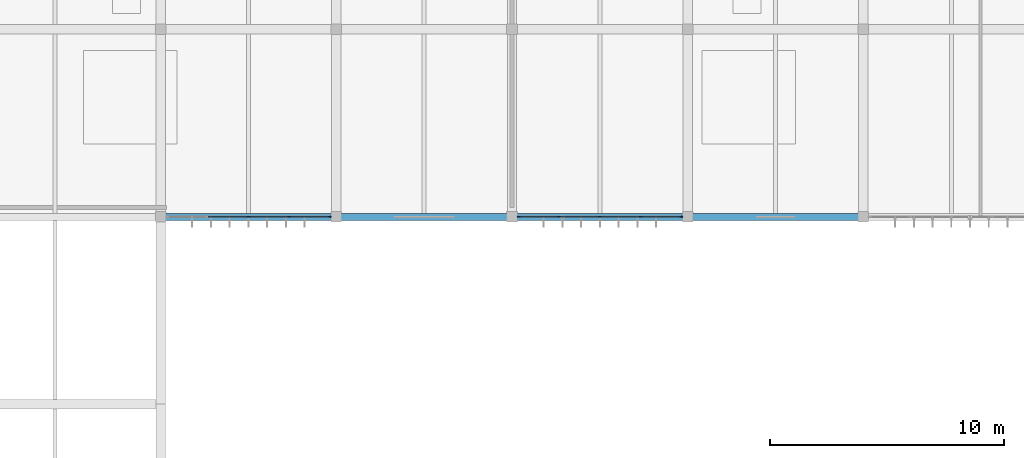
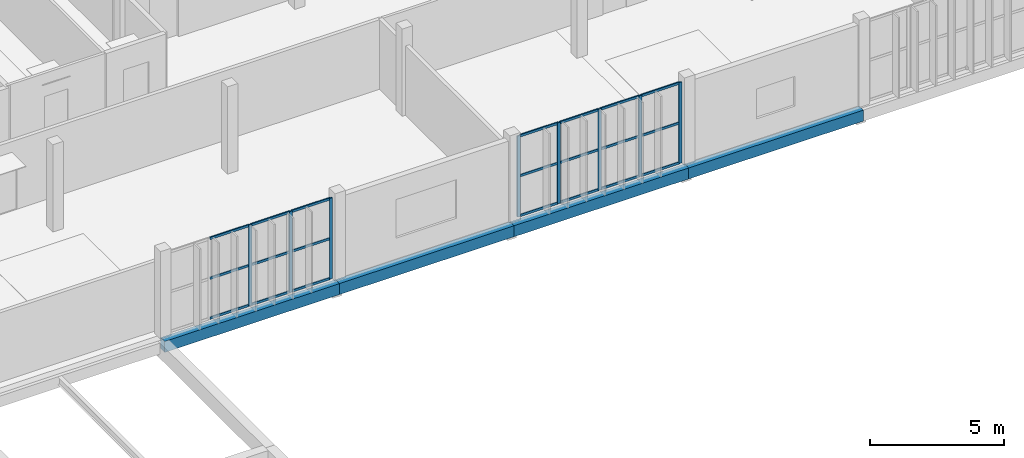
# One storey, part 7 of 26: 29 members, 4 beams, 2 elements without a shape of their own.
"""IFC4 building model written with IfcOpenShell, lengths in metres."""

import ifcopenshell
import ifcopenshell.guid

model = None  # the IFC model being written
_history = None  # IfcOwnerHistory: only IFC2X3 demands one
_inside = {}  # id of a spatial element -> (the spatial element, [elements in it])
_under = {}  # id of a project, library or spatial element -> (it, [spatial elements below it])
_declared = {}  # id of a project -> (the project, [libraries it declares])
_typed = {}  # id of a type object -> (the type object, [elements of that type])
_made_of = {}  # id of a material, layer set ... -> (it, [elements and type objects made of it])


def new_model(schema):
    """Start an empty IFC model of exactly this schema.

    Asked for "IFC4X3", IfcOpenShell would pick the latest addendum, in which some entities
    have other attributes; the version numbers below select the first issue.
    IFC2X3 requires an IfcOwnerHistory on every rooted entity: one is made here for all.
    """
    global model, _history
    if schema == "IFC4X3":
        model = ifcopenshell.file(schema_version=(4, 3, 0, 0))
    else:
        model = ifcopenshell.file(schema=schema)
    _inside.clear()
    _under.clear()
    _declared.clear()
    _typed.clear()
    _made_of.clear()
    _history = None
    if model.schema == "IFC2X3":
        org = make("IfcOrganization", Name="unknown")
        user = make(
            "IfcPersonAndOrganization",
            ThePerson=make("IfcPerson", FamilyName="unknown"),
            TheOrganization=org,
        )
        app = make(
            "IfcApplication",
            ApplicationDeveloper=org,
            Version="unknown",
            ApplicationFullName="unknown",
            ApplicationIdentifier="unknown",
        )
        _history = make(
            "IfcOwnerHistory",
            OwningUser=user,
            OwningApplication=app,
            ChangeAction="ADDED",
            CreationDate=0,
        )
    return model


def make(cls, **values):
    """One entity of the class cls with the attributes given. An attribute that is None is left unset."""
    return model.create_entity(
        cls, **{name: value for name, value in values.items() if value is not None}
    )


def rooted(cls, **values):
    """An entity with a GlobalId (a new one), such as an element, a storey or a relation."""
    return make(cls, GlobalId=ifcopenshell.guid.new(), OwnerHistory=_history, **values)


def si_unit(unit_type, name, prefix=None):
    """IfcSIUnit, for example si_unit("LENGTHUNIT", "METRE", prefix="MILLI")."""
    return make("IfcSIUnit", UnitType=unit_type, Prefix=prefix, Name=name)


def assignment(units):
    """IfcUnitAssignment: the units of a project."""
    return None if units is None else make("IfcUnitAssignment", Units=units)


def point(xyz):
    """IfcCartesianPoint."""
    return None if xyz is None else make("IfcCartesianPoint", Coordinates=xyz)


def direction(xyz):
    """IfcDirection."""
    return None if xyz is None else make("IfcDirection", DirectionRatios=xyz)


def frame(location, z_axis=None, x_axis=None):
    """IfcAxis2Placement3D, a coordinate frame: its origin and axes. An axis left out is left unset."""
    return make(
        "IfcAxis2Placement3D",
        Location=point(location),
        Axis=direction(z_axis),
        RefDirection=direction(x_axis),
    )


def frame_2d(location, x_axis=None):
    """IfcAxis2Placement2D, a coordinate frame in the plane: its origin and x axis."""
    return make(
        "IfcAxis2Placement2D", Location=point(location), RefDirection=direction(x_axis)
    )


def origin():
    """The frame at (0, 0, 0) with its axes left unset."""
    return frame((0.0, 0.0, 0.0))


def origin_2d():
    """The frame at (0, 0) in the plane with its x axis left unset."""
    return frame_2d((0.0, 0.0))


def place(relative_to, where):
    """IfcLocalPlacement: puts the frame where relative to a parent placement (None: the world)."""
    return make(
        "IfcLocalPlacement", PlacementRelTo=relative_to, RelativePlacement=where
    )


def context(
    kind, dimensions, precision=None, world=None, true_north=None, identifier=None
):
    """IfcGeometricRepresentationContext, for example the 3D "Model" context."""
    return make(
        "IfcGeometricRepresentationContext",
        ContextIdentifier=identifier,
        ContextType=kind,
        CoordinateSpaceDimension=dimensions,
        Precision=precision,
        WorldCoordinateSystem=world,
        TrueNorth=true_north,
    )


def subcontext(parent, identifier, kind, view, scale=None):
    """IfcGeometricRepresentationSubContext, for example "Body" below "Model"."""
    return make(
        "IfcGeometricRepresentationSubContext",
        ContextIdentifier=identifier,
        ContextType=kind,
        ParentContext=parent,
        TargetScale=scale,
        TargetView=view,
    )


def project(units=None, contexts=None):
    """IfcProject with its units and contexts."""
    return rooted(
        "IfcProject",
        Name="project",
        RepresentationContexts=contexts,
        UnitsInContext=assignment(units),
    )


def spatial(cls, under=None, at=None, **own):
    """A site, building, storey or space (cls), placed at a placement, below another one or the project."""
    s = rooted(cls, ObjectPlacement=at, **own)
    if under is not None:
        _under.setdefault(under.id(), (under, []))[1].append(s)
    return s


def profile(cls, at=None, kind="AREA", **sizes):
    """A parametric profile (cls). Its sizes go by their IFC names, for example OverallWidth=200.0."""
    return make(cls, ProfileType=kind, Position=at, **sizes)


def rectangle(**sizes):
    """IfcRectangleProfileDef."""
    return profile("IfcRectangleProfileDef", **sizes)


def extrude(swept, where, along, depth):
    """IfcExtrudedAreaSolid: the profile swept, set in the frame where, extruded along a direction by depth."""
    return make(
        "IfcExtrudedAreaSolid",
        SweptArea=swept,
        Position=where,
        ExtrudedDirection=direction(along),
        Depth=depth,
    )


def shape(context_of_items, identifier, shape_type, items):
    """IfcShapeRepresentation: the items that make up one representation, for example the "Body"."""
    return make(
        "IfcShapeRepresentation",
        ContextOfItems=context_of_items,
        RepresentationIdentifier=identifier,
        RepresentationType=shape_type,
        Items=items,
    )


def material(Name=None, Category=None):
    """IfcMaterial."""
    return make("IfcMaterial", Name=Name, Category=Category)


def material_profile(
    of_material, cross_section, Name=None, Category=None, Priority=None
):
    """IfcMaterialProfile: a cross section and its material."""
    return make(
        "IfcMaterialProfile",
        Name=Name,
        Material=of_material,
        Profile=cross_section,
        Priority=Priority,
        Category=Category,
    )


def profile_set(profiles, Name=None, composite=None):
    """IfcMaterialProfileSet."""
    return make(
        "IfcMaterialProfileSet",
        Name=Name,
        MaterialProfiles=profiles,
        CompositeProfile=composite,
    )


def made_of(thing, what):
    """Note that an element or type object is made of a material, layer set ...; save() writes the relation."""
    if what is not None:
        _made_of.setdefault(what.id(), (what, []))[1].append(thing)
    return thing


def type_object(cls, material=None, **own):
    """A type object (cls), such as IfcWallType, which elements share."""
    return made_of(rooted(cls, **own), material)


def element(
    cls,
    number,
    at=None,
    inside=None,
    cuts=None,
    type_object=None,
    material=None,
    context=None,
    identifier="Body",
    shape_type=None,
    held_by="IfcProductDefinitionShape",
    body=None,
    shapes=None,
    **own,
):
    """One element of the class cls, such as IfcWall. Its Tag is "e" and its number.

    at: its placement. inside: the storey or other place that contains it. cuts: it is an
    opening in that element (IfcRelVoidsElement). A single representation is given by context,
    identifier, shape_type and body (its items); several are given by shapes. held_by: the class
    of the entity that holds the representations. save() writes the other relations.
    """
    e = rooted(cls, Tag="e%d" % number, ObjectPlacement=at, **own)
    if body is not None:
        shapes = [shape(context, identifier, shape_type, body)]
    if shapes is not None:
        e.Representation = make(held_by, Representations=shapes)
    if inside is not None:
        _inside.setdefault(inside.id(), (inside, []))[1].append(e)
    if cuts is not None:
        rooted(
            "IfcRelVoidsElement", RelatingBuildingElement=cuts, RelatedOpeningElement=e
        )
    if type_object is not None:
        _typed.setdefault(type_object.id(), (type_object, []))[1].append(e)
    return made_of(e, material)


def aggregate(whole, parts):
    """IfcRelAggregates: a whole, such as a stair, and the parts it consists of."""
    return rooted("IfcRelAggregates", RelatingObject=whole, RelatedObjects=parts)


def save(model, path):
    """Write the relations noted so far, then the file.

    IfcRelAggregates (storeys below a building ...), IfcRelContainedInSpatialStructure (elements
    in a storey), IfcRelDefinesByType, IfcRelAssociatesMaterial and IfcRelDeclares: one each for
    every whole, place, type object, material and project.
    """
    for whole, parts in _under.values():
        aggregate(whole, parts)
    for where, things in _inside.values():
        rooted(
            "IfcRelContainedInSpatialStructure",
            RelatedElements=things,
            RelatingStructure=where,
        )
    for kind, things in _typed.values():
        rooted("IfcRelDefinesByType", RelatedObjects=things, RelatingType=kind)
    for what, things in _made_of.values():
        rooted("IfcRelAssociatesMaterial", RelatedObjects=things, RelatingMaterial=what)
    for by, libraries in _declared.values():
        rooted("IfcRelDeclares", RelatingContext=by, RelatedDefinitions=libraries)
    model.write(path)


model = new_model("IFC4")

# Units and contexts
model_context = context("Model", 3, precision=1e-05, world=origin(), true_north=direction((0.0, 1.0)))
body_context = subcontext(model_context, "Body", "Model", "MODEL_VIEW")
ifc_project = project(units=[si_unit("LENGTHUNIT", "METRE"), si_unit("AREAUNIT", "SQUARE_METRE"), si_unit("VOLUMEUNIT", "CUBIC_METRE"), si_unit("PLANEANGLEUNIT", "RADIAN"), si_unit("MASSUNIT", "GRAM", prefix="KILO")], contexts=[model_context])

# Site, building, storey
site_placement = place(None, origin())
site = spatial("IfcSite", under=ifc_project, at=site_placement, CompositionType="ELEMENT")
building_placement = place(site_placement, origin())
building = spatial("IfcBuilding", under=site, at=building_placement, Name="Vourika Railside Aquatics Centre", CompositionType="ELEMENT")
storey_placement = place(building_placement, frame((0.0, 0.0, 17.699951171875)))
storey = spatial("IfcBuildingStorey", under=building, at=storey_placement, Name="L04", CompositionType="ELEMENT", Elevation=17.699951171875)

# Beams
ifc_material_1 = material(Name="Concrete C35/45", Category="concrete")
ifc_material_profile_1 = material_profile(ifc_material_1, rectangle(XDim=0.300048828125, YDim=0.5, at=origin_2d()), Name="RC 300x500")
ifc_profile_set_1 = profile_set([ifc_material_profile_1], Name="Concrete C35/45")
beam_type = type_object("IfcBeamType", Name="BM-SPAN-300x500", PredefinedType="SPANDREL", material=ifc_profile_set_1)
for number, where, z_axis, x_axis, name in (
    (1, (36.0, 92.0, -0.489990234375), (1.0, 0.0, 0.0), (0.0, 1.0, 0.0), "Floor Beam GX-L04-008"),
    (2, (43.5, 92.0, -0.489990234375), (1.0, 0.0, 0.0), (0.0, 1.0, 0.0), "Floor Beam GX-L04-009"),
    (3, (51.0, 92.0, -0.489990234375), (1.0, 0.0, 0.0), (0.0, 1.0, 0.0), "Floor Beam GX-L04-010"),
    (4, (58.5, 92.0, -0.489990234375), (1.0, 0.0, 0.0), (0.0, 1.0, 0.0), "Floor Beam GX-L04-011"),
):
    element("IfcBeam", number, at=place(storey_placement, frame(where, z_axis=z_axis, x_axis=x_axis)), inside=storey, type_object=beam_type, Name=name, PredefinedType="SPANDREL", context=body_context, shape_type="SweptSolid", body=[
        extrude(rectangle(XDim=0.300048828125, YDim=0.5, at=origin_2d()), origin(), (0.0, 0.0, 1.0), 7.5),
    ])

# Curtain wall, members
ifc_material_2 = material(Name="Anodized thermally broken aluminium", Category="aluminium")
curtain_wall_type = type_object("IfcCurtainWallType", Name="CW-FIT4", PredefinedType="NOTDEFINED", material=ifc_material_2)
curtain_wall_1_placement = place(storey_placement, origin())
curtain_wall_1 = element("IfcCurtainWall", 5, at=curtain_wall_1_placement, inside=storey, type_object=curtain_wall_type, Name="Courtyard Fitness Curtain Wall L04-1", PredefinedType="NOTDEFINED")
ifc_material_3 = material(Name="Anodized aluminium mullion", Category="aluminium")
ifc_material_profile_2 = material_profile(ifc_material_3, rectangle(XDim=0.054931640625, YDim=0.135009765625, at=origin_2d()), Name="ALU-M 55x135")
ifc_profile_set_2 = profile_set([ifc_material_profile_2], Name="Anodized aluminium mullion")
member_type_1 = type_object("IfcMemberType", Name="CWM-FIT4", PredefinedType="MULLION", material=ifc_profile_set_2)
member_1_placement = place(storey_placement, frame((39.75, 92.0, 0.0), z_axis=(0.0, 0.0, 1.0), x_axis=(0.0, 1.0, 0.0)))
member_1 = element("IfcMember", 6, at=member_1_placement, type_object=member_type_1, Name="CW18 mullion 3", PredefinedType="MULLION", context=body_context, shape_type="SweptSolid", body=[
    extrude(rectangle(XDim=0.054931640625, YDim=0.135009765625, at=origin_2d()), origin(), (0.0, 0.0, 1.0), 3.670166015625),
])
member_2_placement = place(storey_placement, frame((41.49755859375, 92.0, 0.0), z_axis=(0.0, 0.0, 1.0), x_axis=(0.0, 1.0, 0.0)))
member_2 = element("IfcMember", 7, at=member_2_placement, type_object=member_type_1, Name="CW18 mullion 4", PredefinedType="MULLION", context=body_context, shape_type="SweptSolid", body=[
    extrude(rectangle(XDim=0.054931640625, YDim=0.135009765625, at=origin_2d()), origin(), (0.0, 0.0, 1.0), 3.670166015625),
])
member_3_placement = place(storey_placement, frame((43.217529296875, 92.0, 0.0), z_axis=(0.0, 0.0, 1.0), x_axis=(0.0, 1.0, 0.0)))
member_3 = element("IfcMember", 8, at=member_3_placement, type_object=member_type_1, Name="CW18 mullion 5", PredefinedType="MULLION", context=body_context, shape_type="SweptSolid", body=[
    extrude(rectangle(XDim=0.054931640625, YDim=0.135009765625, at=origin_2d()), origin(), (0.0, 0.0, 1.0), 3.670166015625),
])

curtain_wall_2_placement = place(storey_placement, origin())
curtain_wall_2 = element("IfcCurtainWall", 9, at=curtain_wall_2_placement, inside=storey, type_object=curtain_wall_type, Name="Courtyard Fitness Curtain Wall L04-3", PredefinedType="NOTDEFINED")
member_4_placement = place(storey_placement, frame((51.282470703125, 92.0, 0.0), z_axis=(0.0, 0.0, 1.0), x_axis=(0.0, 1.0, 0.0)))
member_4 = element("IfcMember", 10, at=member_4_placement, type_object=member_type_1, Name="CW18 mullion 1", PredefinedType="MULLION", context=body_context, shape_type="SweptSolid", body=[
    extrude(rectangle(XDim=0.054931640625, YDim=0.135009765625, at=origin_2d()), origin(), (0.0, 0.0, 1.0), 3.670166015625),
])
member_5_placement = place(storey_placement, frame((53.00244140625, 92.0, 0.0), z_axis=(0.0, 0.0, 1.0), x_axis=(0.0, 1.0, 0.0)))
member_5 = element("IfcMember", 11, at=member_5_placement, type_object=member_type_1, Name="CW18 mullion 2", PredefinedType="MULLION", context=body_context, shape_type="SweptSolid", body=[
    extrude(rectangle(XDim=0.054931640625, YDim=0.135009765625, at=origin_2d()), origin(), (0.0, 0.0, 1.0), 3.670166015625),
])
member_6_placement = place(storey_placement, frame((54.75, 92.0, 0.0), z_axis=(0.0, 0.0, 1.0), x_axis=(0.0, 1.0, 0.0)))
member_6 = element("IfcMember", 12, at=member_6_placement, type_object=member_type_1, Name="CW18 mullion 3", PredefinedType="MULLION", context=body_context, shape_type="SweptSolid", body=[
    extrude(rectangle(XDim=0.054931640625, YDim=0.135009765625, at=origin_2d()), origin(), (0.0, 0.0, 1.0), 3.670166015625),
])
member_7_placement = place(storey_placement, frame((56.49755859375, 92.0, 0.0), z_axis=(0.0, 0.0, 1.0), x_axis=(0.0, 1.0, 0.0)))
member_7 = element("IfcMember", 13, at=member_7_placement, type_object=member_type_1, Name="CW18 mullion 4", PredefinedType="MULLION", context=body_context, shape_type="SweptSolid", body=[
    extrude(rectangle(XDim=0.054931640625, YDim=0.135009765625, at=origin_2d()), origin(), (0.0, 0.0, 1.0), 3.670166015625),
])
member_8_placement = place(storey_placement, frame((58.217529296875, 92.0, 0.0), z_axis=(0.0, 0.0, 1.0), x_axis=(0.0, 1.0, 0.0)))
member_8 = element("IfcMember", 14, at=member_8_placement, type_object=member_type_1, Name="CW18 mullion 5", PredefinedType="MULLION", context=body_context, shape_type="SweptSolid", body=[
    extrude(rectangle(XDim=0.054931640625, YDim=0.135009765625, at=origin_2d()), origin(), (0.0, 0.0, 1.0), 3.670166015625),
])

# Member
ifc_material_4 = material(Name="Anodized aluminium transom", Category="aluminium")
ifc_material_profile_3 = material_profile(ifc_material_4, rectangle(XDim=0.054931640625, YDim=0.10595703125, at=origin_2d()), Name="ALU-T 55x106")
ifc_profile_set_3 = profile_set([ifc_material_profile_3], Name="Anodized aluminium transom")
member_type_2 = type_object("IfcMemberType", Name="CWT-FIT4", PredefinedType="USERDEFINED", material=ifc_profile_set_3)
member_9_placement = place(storey_placement, frame((38.030029296875, 92.0, 0.027587890625), z_axis=(1.0, 0.0, 0.0), x_axis=(0.0, 1.0, 0.0)))
member_9 = element("IfcMember", 15, at=member_9_placement, type_object=member_type_2, Name="CW18 transom 2.1", ObjectType="TRANSOM", PredefinedType="USERDEFINED", context=body_context, shape_type="SweptSolid", body=[
    extrude(rectangle(XDim=0.054931640625, YDim=0.10595703125, at=origin_2d()), origin(), (0.0, 0.0, 1.0), 1.6923828125),
])

member_10_placement = place(storey_placement, frame((38.030029296875, 92.0, 1.8349609375), z_axis=(1.0, 0.0, 0.0), x_axis=(0.0, 1.0, 0.0)))
member_10 = element("IfcMember", 16, at=member_10_placement, type_object=member_type_2, Name="CW18 transom 2.2", ObjectType="TRANSOM", PredefinedType="USERDEFINED", context=body_context, shape_type="SweptSolid", body=[
    extrude(rectangle(XDim=0.054931640625, YDim=0.10595703125, at=origin_2d()), origin(), (0.0, 0.0, 1.0), 1.6923828125),
])

member_11_placement = place(storey_placement, frame((38.030029296875, 92.0, 3.642578125), z_axis=(1.0, 0.0, 0.0), x_axis=(0.0, 1.0, 0.0)))
member_11 = element("IfcMember", 17, at=member_11_placement, type_object=member_type_2, Name="CW18 transom 2.3", ObjectType="TRANSOM", PredefinedType="USERDEFINED", context=body_context, shape_type="SweptSolid", body=[
    extrude(rectangle(XDim=0.054931640625, YDim=0.10595703125, at=origin_2d()), origin(), (0.0, 0.0, 1.0), 1.6923828125),
])

member_12_placement = place(storey_placement, frame((39.777587890625, 92.0, 0.027587890625), z_axis=(1.0, 0.0, 0.0), x_axis=(0.0, 1.0, 0.0)))
member_12 = element("IfcMember", 18, at=member_12_placement, type_object=member_type_2, Name="CW18 transom 3.1", ObjectType="TRANSOM", PredefinedType="USERDEFINED", context=body_context, shape_type="SweptSolid", body=[
    extrude(rectangle(XDim=0.054931640625, YDim=0.10595703125, at=origin_2d()), origin(), (0.0, 0.0, 1.0), 1.6923828125),
])

member_13_placement = place(storey_placement, frame((39.777587890625, 92.0, 1.8349609375), z_axis=(1.0, 0.0, 0.0), x_axis=(0.0, 1.0, 0.0)))
member_13 = element("IfcMember", 19, at=member_13_placement, type_object=member_type_2, Name="CW18 transom 3.2", ObjectType="TRANSOM", PredefinedType="USERDEFINED", context=body_context, shape_type="SweptSolid", body=[
    extrude(rectangle(XDim=0.054931640625, YDim=0.10595703125, at=origin_2d()), origin(), (0.0, 0.0, 1.0), 1.6923828125),
])

member_14_placement = place(storey_placement, frame((39.777587890625, 92.0, 3.642578125), z_axis=(1.0, 0.0, 0.0), x_axis=(0.0, 1.0, 0.0)))
member_14 = element("IfcMember", 20, at=member_14_placement, type_object=member_type_2, Name="CW18 transom 3.3", ObjectType="TRANSOM", PredefinedType="USERDEFINED", context=body_context, shape_type="SweptSolid", body=[
    extrude(rectangle(XDim=0.054931640625, YDim=0.10595703125, at=origin_2d()), origin(), (0.0, 0.0, 1.0), 1.6923828125),
])

member_15_placement = place(storey_placement, frame((41.52490234375, 92.0, 0.027587890625), z_axis=(1.0, 0.0, 0.0), x_axis=(0.0, 1.0, 0.0)))
member_15 = element("IfcMember", 21, at=member_15_placement, type_object=member_type_2, Name="CW18 transom 4.1", ObjectType="TRANSOM", PredefinedType="USERDEFINED", context=body_context, shape_type="SweptSolid", body=[
    extrude(rectangle(XDim=0.054931640625, YDim=0.10595703125, at=origin_2d()), origin(), (0.0, 0.0, 1.0), 1.6650390625),
])

member_16_placement = place(storey_placement, frame((41.52490234375, 92.0, 1.8349609375), z_axis=(1.0, 0.0, 0.0), x_axis=(0.0, 1.0, 0.0)))
member_16 = element("IfcMember", 22, at=member_16_placement, type_object=member_type_2, Name="CW18 transom 4.2", ObjectType="TRANSOM", PredefinedType="USERDEFINED", context=body_context, shape_type="SweptSolid", body=[
    extrude(rectangle(XDim=0.054931640625, YDim=0.10595703125, at=origin_2d()), origin(), (0.0, 0.0, 1.0), 1.6650390625),
])

member_17_placement = place(storey_placement, frame((41.52490234375, 92.0, 3.642578125), z_axis=(1.0, 0.0, 0.0), x_axis=(0.0, 1.0, 0.0)))
member_17 = element("IfcMember", 23, at=member_17_placement, type_object=member_type_2, Name="CW18 transom 4.3", ObjectType="TRANSOM", PredefinedType="USERDEFINED", context=body_context, shape_type="SweptSolid", body=[
    extrude(rectangle(XDim=0.054931640625, YDim=0.10595703125, at=origin_2d()), origin(), (0.0, 0.0, 1.0), 1.6650390625),
])

aggregate(curtain_wall_1, [member_1, member_2, member_3, member_9, member_10, member_11, member_12, member_13, member_14, member_15, member_16, member_17])

member_18_placement = place(storey_placement, frame((51.31005859375, 92.0, 0.027587890625), z_axis=(1.0, 0.0, 0.0), x_axis=(0.0, 1.0, 0.0)))
member_18 = element("IfcMember", 24, at=member_18_placement, type_object=member_type_2, Name="CW18 transom 1.1", ObjectType="TRANSOM", PredefinedType="USERDEFINED", context=body_context, shape_type="SweptSolid", body=[
    extrude(rectangle(XDim=0.054931640625, YDim=0.10595703125, at=origin_2d()), origin(), (0.0, 0.0, 1.0), 1.6650390625),
])

member_19_placement = place(storey_placement, frame((51.31005859375, 92.0, 1.8349609375), z_axis=(1.0, 0.0, 0.0), x_axis=(0.0, 1.0, 0.0)))
member_19 = element("IfcMember", 25, at=member_19_placement, type_object=member_type_2, Name="CW18 transom 1.2", ObjectType="TRANSOM", PredefinedType="USERDEFINED", context=body_context, shape_type="SweptSolid", body=[
    extrude(rectangle(XDim=0.054931640625, YDim=0.10595703125, at=origin_2d()), origin(), (0.0, 0.0, 1.0), 1.6650390625),
])

member_20_placement = place(storey_placement, frame((51.31005859375, 92.0, 3.642578125), z_axis=(1.0, 0.0, 0.0), x_axis=(0.0, 1.0, 0.0)))
member_20 = element("IfcMember", 26, at=member_20_placement, type_object=member_type_2, Name="CW18 transom 1.3", ObjectType="TRANSOM", PredefinedType="USERDEFINED", context=body_context, shape_type="SweptSolid", body=[
    extrude(rectangle(XDim=0.054931640625, YDim=0.10595703125, at=origin_2d()), origin(), (0.0, 0.0, 1.0), 1.6650390625),
])

member_21_placement = place(storey_placement, frame((53.030029296875, 92.0, 0.027587890625), z_axis=(1.0, 0.0, 0.0), x_axis=(0.0, 1.0, 0.0)))
member_21 = element("IfcMember", 27, at=member_21_placement, type_object=member_type_2, Name="CW18 transom 2.1", ObjectType="TRANSOM", PredefinedType="USERDEFINED", context=body_context, shape_type="SweptSolid", body=[
    extrude(rectangle(XDim=0.054931640625, YDim=0.10595703125, at=origin_2d()), origin(), (0.0, 0.0, 1.0), 1.6923828125),
])

member_22_placement = place(storey_placement, frame((53.030029296875, 92.0, 1.8349609375), z_axis=(1.0, 0.0, 0.0), x_axis=(0.0, 1.0, 0.0)))
member_22 = element("IfcMember", 28, at=member_22_placement, type_object=member_type_2, Name="CW18 transom 2.2", ObjectType="TRANSOM", PredefinedType="USERDEFINED", context=body_context, shape_type="SweptSolid", body=[
    extrude(rectangle(XDim=0.054931640625, YDim=0.10595703125, at=origin_2d()), origin(), (0.0, 0.0, 1.0), 1.6923828125),
])

member_23_placement = place(storey_placement, frame((53.030029296875, 92.0, 3.642578125), z_axis=(1.0, 0.0, 0.0), x_axis=(0.0, 1.0, 0.0)))
member_23 = element("IfcMember", 29, at=member_23_placement, type_object=member_type_2, Name="CW18 transom 2.3", ObjectType="TRANSOM", PredefinedType="USERDEFINED", context=body_context, shape_type="SweptSolid", body=[
    extrude(rectangle(XDim=0.054931640625, YDim=0.10595703125, at=origin_2d()), origin(), (0.0, 0.0, 1.0), 1.6923828125),
])

member_24_placement = place(storey_placement, frame((54.777587890625, 92.0, 0.027587890625), z_axis=(1.0, 0.0, 0.0), x_axis=(0.0, 1.0, 0.0)))
member_24 = element("IfcMember", 30, at=member_24_placement, type_object=member_type_2, Name="CW18 transom 3.1", ObjectType="TRANSOM", PredefinedType="USERDEFINED", context=body_context, shape_type="SweptSolid", body=[
    extrude(rectangle(XDim=0.054931640625, YDim=0.10595703125, at=origin_2d()), origin(), (0.0, 0.0, 1.0), 1.6923828125),
])

member_25_placement = place(storey_placement, frame((54.777587890625, 92.0, 1.8349609375), z_axis=(1.0, 0.0, 0.0), x_axis=(0.0, 1.0, 0.0)))
member_25 = element("IfcMember", 31, at=member_25_placement, type_object=member_type_2, Name="CW18 transom 3.2", ObjectType="TRANSOM", PredefinedType="USERDEFINED", context=body_context, shape_type="SweptSolid", body=[
    extrude(rectangle(XDim=0.054931640625, YDim=0.10595703125, at=origin_2d()), origin(), (0.0, 0.0, 1.0), 1.6923828125),
])

member_26_placement = place(storey_placement, frame((54.777587890625, 92.0, 3.642578125), z_axis=(1.0, 0.0, 0.0), x_axis=(0.0, 1.0, 0.0)))
member_26 = element("IfcMember", 32, at=member_26_placement, type_object=member_type_2, Name="CW18 transom 3.3", ObjectType="TRANSOM", PredefinedType="USERDEFINED", context=body_context, shape_type="SweptSolid", body=[
    extrude(rectangle(XDim=0.054931640625, YDim=0.10595703125, at=origin_2d()), origin(), (0.0, 0.0, 1.0), 1.6923828125),
])

member_27_placement = place(storey_placement, frame((56.52490234375, 92.0, 0.027587890625), z_axis=(1.0, 0.0, 0.0), x_axis=(0.0, 1.0, 0.0)))
member_27 = element("IfcMember", 33, at=member_27_placement, type_object=member_type_2, Name="CW18 transom 4.1", ObjectType="TRANSOM", PredefinedType="USERDEFINED", context=body_context, shape_type="SweptSolid", body=[
    extrude(rectangle(XDim=0.054931640625, YDim=0.10595703125, at=origin_2d()), origin(), (0.0, 0.0, 1.0), 1.6650390625),
])

member_28_placement = place(storey_placement, frame((56.52490234375, 92.0, 1.8349609375), z_axis=(1.0, 0.0, 0.0), x_axis=(0.0, 1.0, 0.0)))
member_28 = element("IfcMember", 34, at=member_28_placement, type_object=member_type_2, Name="CW18 transom 4.2", ObjectType="TRANSOM", PredefinedType="USERDEFINED", context=body_context, shape_type="SweptSolid", body=[
    extrude(rectangle(XDim=0.054931640625, YDim=0.10595703125, at=origin_2d()), origin(), (0.0, 0.0, 1.0), 1.6650390625),
])

member_29_placement = place(storey_placement, frame((56.52490234375, 92.0, 3.642578125), z_axis=(1.0, 0.0, 0.0), x_axis=(0.0, 1.0, 0.0)))
member_29 = element("IfcMember", 35, at=member_29_placement, type_object=member_type_2, Name="CW18 transom 4.3", ObjectType="TRANSOM", PredefinedType="USERDEFINED", context=body_context, shape_type="SweptSolid", body=[
    extrude(rectangle(XDim=0.054931640625, YDim=0.10595703125, at=origin_2d()), origin(), (0.0, 0.0, 1.0), 1.6650390625),
])

aggregate(curtain_wall_2, [member_4, member_5, member_6, member_7, member_8, member_18, member_19, member_20, member_21, member_22, member_23, member_24, member_25, member_26, member_27, member_28, member_29])

save(model, "model.ifc")
